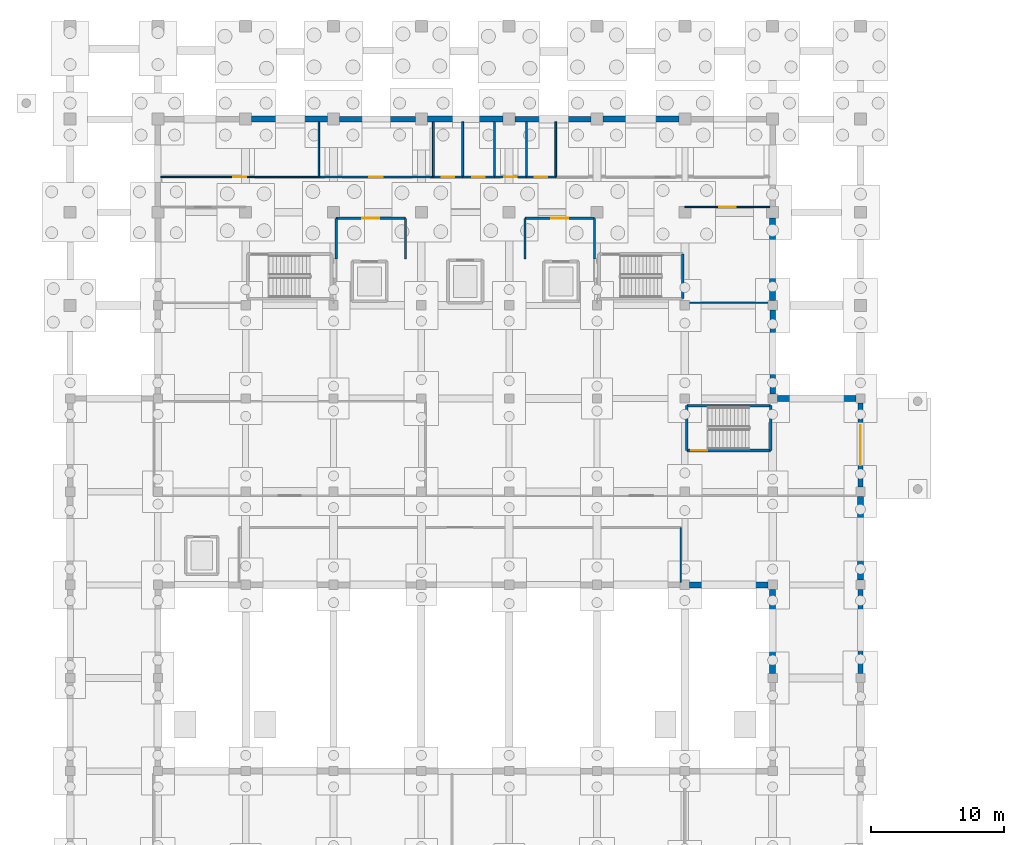
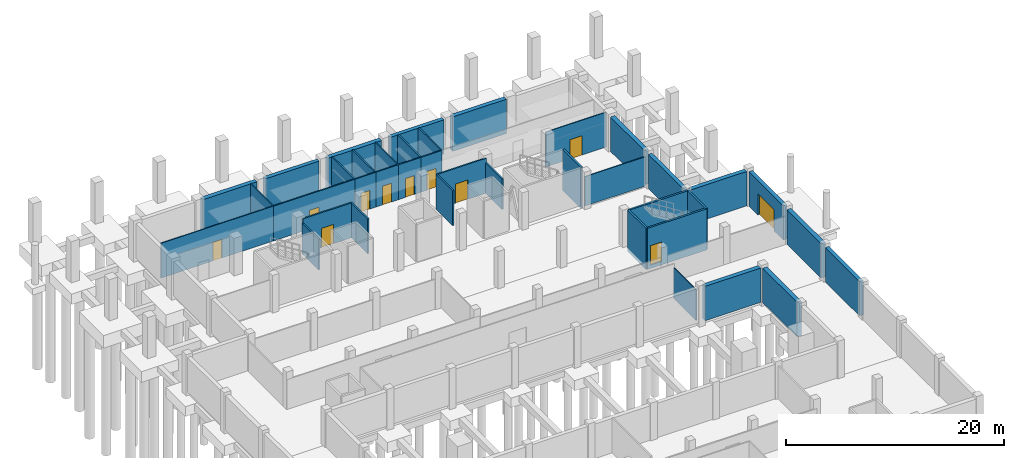
# One storey, part 19 of 27: 39 walls, 11 doors, 11 openings.
"""IFC4 building model written with IfcOpenShell, lengths in metres."""

from ifc_helpers import new_model, si_unit, direction, frame, frame_2d, origin, place, context, subcontext, project, spatial, rectangle, extrude, material, layer, layer_set, type_object, element, fill, save


model = new_model("IFC4")

# Units and contexts
model_context = context("Model", 3, precision=1e-05, world=origin(), true_north=direction((0.0, 1.0)))
body_context = subcontext(model_context, "Body", "Model", "MODEL_VIEW")
ifc_project = project(units=[si_unit("LENGTHUNIT", "METRE"), si_unit("AREAUNIT", "SQUARE_METRE"), si_unit("VOLUMEUNIT", "CUBIC_METRE"), si_unit("PLANEANGLEUNIT", "RADIAN"), si_unit("MASSUNIT", "GRAM", prefix="KILO")], contexts=[model_context])

# Site, building, storey
site_placement = place(None, origin())
site = spatial("IfcSite", under=ifc_project, at=site_placement, CompositionType="ELEMENT")
building_placement = place(site_placement, origin())
building = spatial("IfcBuilding", under=site, at=building_placement, Name="Ciguamira Faculty of Natural Sciences", CompositionType="ELEMENT")
storey_placement = place(building_placement, frame((0.0, 0.0, -4.199951171875)))
storey = spatial("IfcBuildingStorey", under=building, at=storey_placement, Name="B1", CompositionType="ELEMENT", Elevation=-4.199951171875)

# Walls
ifc_material_1 = material(Name="Concrete C40/50", Category="concrete")
ifc_layer_1 = layer(ifc_material_1, 0.449951171875, Name="Concrete C40/50")
ifc_layer_set_1 = layer_set([ifc_layer_1], Name="Concrete C40/50")
wall_type_1 = type_object("IfcWallType", Name="ExtWall_RW-01_450", PredefinedType="SHEAR", material=ifc_layer_set_1)
wall_1_placement = place(storey_placement, frame((103.85009765625, 73.0, 0.0), z_axis=(0.0, 0.0, 1.0), x_axis=(1.0, 0.0, 0.0)))
element("IfcWall", 1, at=wall_1_placement, inside=storey, type_object=wall_type_1, Name="B1 exterior wall 0024", PredefinedType="SHEAR", context=body_context, shape_type="SweptSolid", body=[
    extrude(rectangle(XDim=5.89990234375, YDim=0.449951171875, at=frame_2d((2.949951171875, 0.0))), origin(), (0.0, 0.0, 1.0), 3.849853515625),
])
wall_2_placement = place(storey_placement, frame((110.449951171875, 87.0, 0.0), z_axis=(0.0, 0.0, 1.0), x_axis=(1.0, 0.0, 0.0)))
element("IfcWall", 2, at=wall_2_placement, inside=storey, type_object=wall_type_1, Name="B1 exterior wall 0026", PredefinedType="SHEAR", context=body_context, shape_type="SweptSolid", body=[
    extrude(rectangle(XDim=5.900146484375, YDim=0.449951171875, at=frame_2d((2.9501953125, 0.0))), origin(), (0.0, 0.0, 1.0), 3.849853515625),
])
wall_3_placement = place(storey_placement, frame((70.949951171875, 108.0, 0.0), z_axis=(0.0, 0.0, 1.0), x_axis=(1.0, 0.0, 0.0)))
element("IfcWall", 3, at=wall_3_placement, inside=storey, type_object=wall_type_1, Name="B1 exterior wall 0028", PredefinedType="SHEAR", context=body_context, shape_type="SweptSolid", body=[
    extrude(rectangle(XDim=5.699951171875, YDim=0.449951171875, at=frame_2d((2.85009765625, 0.0))), origin(), (0.0, 0.0, 1.0), 3.849853515625),
])
wall_4_placement = place(storey_placement, frame((84.14990234375, 108.0, 0.0), z_axis=(0.0, 0.0, 1.0), x_axis=(1.0, 0.0, 0.0)))
element("IfcWall", 4, at=wall_4_placement, inside=storey, type_object=wall_type_1, Name="B1 exterior wall 0030", PredefinedType="SHEAR", context=body_context, shape_type="SweptSolid", body=[
    extrude(rectangle(XDim=5.7001953125, YDim=0.449951171875, at=frame_2d((2.85009765625, 0.0))), origin(), (0.0, 0.0, 1.0), 3.849853515625),
])
wall_5_placement = place(storey_placement, frame((97.35009765625, 108.0, 0.0), z_axis=(0.0, 0.0, 1.0), x_axis=(1.0, 0.0, 0.0)))
element("IfcWall", 5, at=wall_5_placement, inside=storey, type_object=wall_type_1, Name="B1 exterior wall 0032", PredefinedType="SHEAR", context=body_context, shape_type="SweptSolid", body=[
    extrude(rectangle(XDim=5.699951171875, YDim=0.449951171875, at=frame_2d((2.85009765625, 0.0))), origin(), (0.0, 0.0, 1.0), 3.849853515625),
])
wall_6_placement = place(storey_placement, frame((110.10009765625, 66.35009765625, 0.0), z_axis=(0.0, 0.0, 1.0), x_axis=(0.0, 1.0, 0.0)))
element("IfcWall", 6, at=wall_6_placement, inside=storey, type_object=wall_type_1, Name="B1 exterior wall 0052", PredefinedType="SHEAR", context=body_context, shape_type="SweptSolid", body=[
    extrude(rectangle(XDim=6.2998046875, YDim=0.449951171875, at=frame_2d((3.14990234375, 0.0))), origin(), (0.0, 0.0, 1.0), 3.849853515625),
])
wall_7_placement = place(storey_placement, frame((110.10009765625, 94.35009765625, 0.0), z_axis=(0.0, 0.0, 1.0), x_axis=(0.0, 1.0, 0.0)))
element("IfcWall", 7, at=wall_7_placement, inside=storey, type_object=wall_type_1, Name="B1 exterior wall 0054", PredefinedType="SHEAR", context=body_context, shape_type="SweptSolid", body=[
    extrude(rectangle(XDim=6.199951171875, YDim=0.449951171875, at=frame_2d((3.10009765625, 0.0))), origin(), (0.0, 0.0, 1.0), 3.849853515625),
])
wall_8_placement = place(storey_placement, frame((116.699951171875, 73.35009765625, 0.0), z_axis=(0.0, 0.0, 1.0), x_axis=(0.0, 1.0, 0.0)))
element("IfcWall", 8, at=wall_8_placement, inside=storey, type_object=wall_type_1, Name="B1 exterior wall 0064", PredefinedType="SHEAR", context=body_context, shape_type="SweptSolid", body=[
    extrude(rectangle(XDim=6.2998046875, YDim=0.449951171875, at=frame_2d((3.14990234375, 0.0))), origin(), (0.0, 0.0, 1.0), 3.849853515625),
])
ifc_layer_2 = layer(ifc_material_1, 0.39990234375, Name="Concrete C40/50")
ifc_layer_set_2 = layer_set([ifc_layer_2], Name="Concrete C40/50")
wall_type_2 = type_object("IfcWallType", Name="ExtWall_RW-02_400", PredefinedType="SHEAR", material=ifc_layer_set_2)
for number, where, z_axis, x_axis, name in (
    (9, (77.550048828125, 108.0, 0.0), (0.0, 0.0, 1.0), (1.0, 0.0, 0.0), "B1 exterior wall 0029"),
    (10, (90.75, 108.0, 0.0), (0.0, 0.0, 1.0), (1.0, 0.0, 0.0), "B1 exterior wall 0031"),
):
    element("IfcWall", number, at=place(storey_placement, frame(where, z_axis=z_axis, x_axis=x_axis)), inside=storey, type_object=wall_type_2, Name=name, PredefinedType="SHEAR", context=body_context, shape_type="SweptSolid", body=[
        extrude(rectangle(XDim=5.699951171875, YDim=0.39990234375, at=frame_2d((2.85009765625, 0.0))), origin(), (0.0, 0.0, 1.0), 3.849853515625),
    ])
for number, where, z_axis, x_axis, name in (
    (11, (110.10009765625, 87.35009765625, 0.0), (0.0, 0.0, 1.0), (0.0, 1.0, 0.0), "B1 exterior wall 0053"),
    (12, (116.699951171875, 66.35009765625, 0.0), (0.0, 0.0, 1.0), (0.0, 1.0, 0.0), "B1 exterior wall 0063"),
):
    element("IfcWall", number, at=place(storey_placement, frame(where, z_axis=z_axis, x_axis=x_axis)), inside=storey, type_object=wall_type_2, Name=name, PredefinedType="SHEAR", context=body_context, shape_type="SweptSolid", body=[
        extrude(rectangle(XDim=6.2998046875, YDim=0.39990234375, at=frame_2d((3.14990234375, 0.0))), origin(), (0.0, 0.0, 1.0), 3.849853515625),
    ])

# Wall, opening, door
wall_9_placement = place(storey_placement, frame((116.699951171875, 80.35009765625, 0.0), z_axis=(0.0, 0.0, 1.0), x_axis=(0.0, 1.0, 0.0)))
wall_9 = element("IfcWall", 13, at=wall_9_placement, inside=storey, type_object=wall_type_2, Name="B1 exterior wall 0065", PredefinedType="SHEAR", context=body_context, shape_type="SweptSolid", body=[
    extrude(rectangle(XDim=6.2998046875, YDim=0.39990234375, at=frame_2d((3.14990234375, 0.0))), origin(), (0.0, 0.0, 1.0), 3.849853515625),
])
opening_1_placement = place(wall_9_placement, frame((1.64990234375, 0.0, 0.0)))
opening_1 = element("IfcOpeningElement", 14, at=opening_1_placement, cuts=wall_9, Name="Opening GD-01", PredefinedType="OPENING", context=body_context, shape_type="SweptSolid", body=[
    extrude(rectangle(XDim=3.0, YDim=2.39990234375, at=frame_2d((1.5, 1.199951171875))), frame((0.0, 0.2099609375, 0.0), z_axis=(0.0, -1.0, 0.0), x_axis=(1.0, 0.0, 0.0)), (0.0, 0.0, 1.0), 0.419921875),
])
ifc_material_2 = material(Name="Galvanized steel service bay gate", Category="steel")
door_type_1 = type_object("IfcDoorType", Name="ExtDoor_GD-01_3000x2400", OperationType="NOTDEFINED", PredefinedType="GATE", material=ifc_material_2)
door_1_placement = place(opening_1_placement, frame((3.0, 0.0, 0.0), z_axis=(0.0, 0.0, 1.0), x_axis=(-1.0, 0.0, 0.0)))
door_1 = element("IfcDoor", 15, at=door_1_placement, inside=storey, type_object=door_type_1, Name="Basement Service Loading Gate GD-B1-01", OperationType="DOUBLE_DOOR_SINGLE_SWING", OverallHeight=2.39990234375, OverallWidth=3.0, PredefinedType="GATE", context=body_context, shape_type="SweptSolid", body=[
    extrude(rectangle(XDim=3.0, YDim=2.39990234375, at=frame_2d((1.5, 1.199951171875))), frame((0.0, 0.02490234375, 0.0), z_axis=(0.0, -1.0, 0.0), x_axis=(1.0, 0.0, 0.0)), (0.0, 0.0, 1.0), 0.050048828125),
])
fill(opening_1, door_1)

# Wall
ifc_layer_3 = layer(ifc_material_1, 0.199951171875, Name="Concrete C40/50")
ifc_layer_set_3 = layer_set([ifc_layer_3], Name="Concrete C40/50")
wall_type_3 = type_object("IfcWallType", Name="IntWall_CW-S20_200", PredefinedType="SHEAR", material=ifc_layer_set_3)
wall_10_placement = place(storey_placement, frame((103.35009765625, 94.5, -0.400146484375), z_axis=(0.0, 0.0, 1.0), x_axis=(0.0, 1.0, 0.0)))
element("IfcWall", 16, at=wall_10_placement, inside=storey, type_object=wall_type_3, Name="B1 ST-T2 core shear wall east", PredefinedType="SHEAR", context=body_context, shape_type="SweptSolid", body=[
    extrude(rectangle(XDim=3.360107421875, YDim=0.199951171875, at=frame_2d((1.68017578125, 0.0))), origin(), (0.0, 0.0, 1.0), 4.60009765625),
])

# Wall, opening, door
wall_11_placement = place(storey_placement, frame((103.64990234375, 83.10009765625, -0.400146484375), z_axis=(0.0, 0.0, 1.0), x_axis=(1.0, 0.0, 0.0)))
wall_11 = element("IfcWall", 17, at=wall_11_placement, inside=storey, type_object=wall_type_3, Name="B1 ST-W2 core shear wall south", PredefinedType="SHEAR", context=body_context, shape_type="SweptSolid", body=[
    extrude(rectangle(XDim=6.300048828125, YDim=0.199951171875, at=frame_2d((3.14990234375, 0.0))), origin(), (0.0, 0.0, 1.0), 4.60009765625),
])
opening_2_placement = place(wall_11_placement, frame((0.320068359375, 0.0, 0.39990234375)))
opening_2 = element("IfcOpeningElement", 18, at=opening_2_placement, cuts=wall_11, Name="Opening ID-14", PredefinedType="OPENING", context=body_context, shape_type="SweptSolid", body=[
    extrude(rectangle(XDim=1.199951171875, YDim=2.14990234375, at=frame_2d((0.60009765625, 1.074951171875))), frame((0.0, 0.10986328125, 0.0), z_axis=(0.0, -1.0, 0.0), x_axis=(1.0, 0.0, 0.0)), (0.0, 0.0, 1.0), 0.219970703125),
])
ifc_material_3 = material(Name="Protected exit stair fire door")
door_type_2 = type_object("IfcDoorType", Name="IntDoor_ID-14_1200x2150", OperationType="NOTDEFINED", PredefinedType="DOOR", material=ifc_material_3)
door_2_placement = place(opening_2_placement, origin())
door_2 = element("IfcDoor", 19, at=door_2_placement, inside=storey, type_object=door_type_2, Name="B1 ST-W2 exit stair fire door", OperationType="SINGLE_SWING_LEFT", OverallHeight=2.14990234375, OverallWidth=1.199951171875, PredefinedType="DOOR", context=body_context, shape_type="SweptSolid", body=[
    extrude(rectangle(XDim=1.199951171875, YDim=2.14990234375, at=frame_2d((0.60009765625, 1.074951171875))), frame((0.0, 0.02490234375, 0.0), z_axis=(0.0, -1.0, 0.0), x_axis=(1.0, 0.0, 0.0)), (0.0, 0.0, 1.0), 0.050048828125),
])
fill(opening_2, door_2)

# Walls
wall_12_placement = place(storey_placement, frame((103.64990234375, 86.4599609375, -0.400146484375), z_axis=(0.0, 0.0, 1.0), x_axis=(1.0, 0.0, 0.0)))
element("IfcWall", 20, at=wall_12_placement, inside=storey, type_object=wall_type_3, Name="B1 ST-W2 core shear wall north", PredefinedType="SHEAR", context=body_context, shape_type="SweptSolid", body=[
    extrude(rectangle(XDim=6.300048828125, YDim=0.199951171875, at=frame_2d((3.14990234375, 0.0))), origin(), (0.0, 0.0, 1.0), 4.60009765625),
])
for number, where, z_axis, x_axis, name in (
    (21, (103.64990234375, 83.10009765625, -0.400146484375), (0.0, 0.0, 1.0), (0.0, 1.0, 0.0), "B1 ST-W2 core shear wall west"),
    (22, (109.949951171875, 83.10009765625, -0.400146484375), (0.0, 0.0, 1.0), (0.0, 1.0, 0.0), "B1 ST-W2 core shear wall east"),
):
    element("IfcWall", number, at=place(storey_placement, frame(where, z_axis=z_axis, x_axis=x_axis)), inside=storey, type_object=wall_type_3, Name=name, PredefinedType="SHEAR", context=body_context, shape_type="SweptSolid", body=[
        extrude(rectangle(XDim=3.35986328125, YDim=0.199951171875, at=frame_2d((1.679931640625, 0.0))), origin(), (0.0, 0.0, 1.0), 4.60009765625),
    ])
ifc_material_4 = material(Name="Fire-rated gypsum partition")
ifc_layer_4 = layer(ifc_material_4, 0.10009765625, Name="Fire-rated gypsum partition")
ifc_layer_set_4 = layer_set([ifc_layer_4], Name="Fire-rated gypsum partition")
wall_type_4 = type_object("IfcWallType", Name="IntWall_IW-A10_100", PredefinedType="PARTITIONING", material=ifc_layer_set_4)
wall_13_placement = place(storey_placement, frame((103.199951171875, 73.199951171875, 0.0), z_axis=(0.0, 0.0, 1.0), x_axis=(0.0, 1.0, 0.0)))
element("IfcWall", 23, at=wall_13_placement, inside=storey, type_object=wall_type_4, Name="B1 B1 Court Overlook Write-Up Studio partition east", PredefinedType="PARTITIONING", context=body_context, shape_type="SweptSolid", body=[
    extrude(rectangle(XDim=4.10009765625, YDim=0.10009765625, at=frame_2d((2.050048828125, 0.0))), origin(), (0.0, 0.0, 1.0), 3.445068359375),
])

# Wall, opening, door
wall_14_placement = place(storey_placement, frame((64.10009765625, 103.64990234375, 0.0), z_axis=(0.0, 0.0, 1.0), x_axis=(1.0, 0.0, 0.0)))
wall_14 = element("IfcWall", 24, at=wall_14_placement, inside=storey, type_object=wall_type_4, Name="B1 Uninterruptible Power and Switchgear Plant partition south", PredefinedType="PARTITIONING", context=body_context, shape_type="SweptSolid", body=[
    extrude(rectangle(XDim=11.89990234375, YDim=0.10009765625, at=frame_2d((5.949951171875, 0.0))), origin(), (0.0, 0.0, 1.0), 3.89990234375),
])
opening_3_placement = place(wall_14_placement, frame((5.47509765625, 0.0, 0.0)))
opening_3 = element("IfcOpeningElement", 25, at=opening_3_placement, cuts=wall_14, Name="Opening ID-02", PredefinedType="OPENING", context=body_context, shape_type="SweptSolid", body=[
    extrude(rectangle(XDim=0.949951171875, YDim=2.10009765625, at=frame_2d((0.47509765625, 1.050048828125))), frame((0.0, 0.06005859375, 0.0), z_axis=(0.0, -1.0, 0.0), x_axis=(1.0, 0.0, 0.0)), (0.0, 0.0, 1.0), 0.1201171875),
])
ifc_material_5 = material(Name="Accessible WC outward-clear door")
door_type_3 = type_object("IfcDoorType", Name="IntDoor_ID-02_950x2100", OperationType="NOTDEFINED", PredefinedType="DOOR", material=ifc_material_5)
door_3_placement = place(opening_3_placement, origin())
door_3 = element("IfcDoor", 26, at=door_3_placement, inside=storey, type_object=door_type_3, Name="B1 Uninterruptible Power and Switchgear Plant door", OperationType="SINGLE_SWING_LEFT", OverallHeight=2.10009765625, OverallWidth=0.949951171875, PredefinedType="DOOR", context=body_context, shape_type="SweptSolid", body=[
    extrude(rectangle(XDim=0.949951171875, YDim=2.10009765625, at=frame_2d((0.47509765625, 1.050048828125))), frame((0.0, 0.02490234375, 0.0), z_axis=(0.0, -1.0, 0.0), x_axis=(1.0, 0.0, 0.0)), (0.0, 0.0, 1.0), 0.050048828125),
])
fill(opening_3, door_3)

# Walls
wall_15_placement = place(storey_placement, frame((76.0, 103.64990234375, 0.0), z_axis=(0.0, 0.0, 1.0), x_axis=(0.0, 1.0, 0.0)))
element("IfcWall", 27, at=wall_15_placement, inside=storey, type_object=wall_type_4, Name="B1 Uninterruptible Power and Switchgear Plant partition east", PredefinedType="PARTITIONING", context=body_context, shape_type="SweptSolid", body=[
    extrude(rectangle(XDim=4.150146484375, YDim=0.10009765625, at=frame_2d((2.0751953125, 0.0))), origin(), (0.0, 0.0, 1.0), 3.89990234375),
])
wall_16_placement = place(storey_placement, frame((103.5, 94.199951171875, 0.0), z_axis=(0.0, 0.0, 1.0), x_axis=(1.0, 0.0, 0.0)))
element("IfcWall", 28, at=wall_16_placement, inside=storey, type_object=wall_type_4, Name="B1 Glassblowing Technical Studio partition south", PredefinedType="PARTITIONING", context=body_context, shape_type="SweptSolid", body=[
    extrude(rectangle(XDim=6.39990234375, YDim=0.10009765625, at=frame_2d((3.199951171875, 0.0))), origin(), (0.0, 0.0, 1.0), 3.284912109375),
])

# Wall, opening, door
wall_17_placement = place(storey_placement, frame((103.5, 101.39990234375, 0.0), z_axis=(0.0, 0.0, 1.0), x_axis=(1.0, 0.0, 0.0)))
wall_17 = element("IfcWall", 29, at=wall_17_placement, inside=storey, type_object=wall_type_4, Name="B1 Glassblowing Technical Studio partition north", PredefinedType="PARTITIONING", context=body_context, shape_type="SweptSolid", body=[
    extrude(rectangle(XDim=6.39990234375, YDim=0.10009765625, at=frame_2d((3.199951171875, 0.0))), origin(), (0.0, 0.0, 1.0), 3.89990234375),
])
opening_4_placement = place(wall_17_placement, frame((2.574951171875, 0.0, 0.0)))
opening_4 = element("IfcOpeningElement", 30, at=opening_4_placement, cuts=wall_17, Name="Opening ID-06", PredefinedType="OPENING", context=body_context, shape_type="SweptSolid", body=[
    extrude(rectangle(XDim=1.25, YDim=2.14990234375, at=frame_2d((0.625, 1.074951171875))), frame((0.0, 0.06005859375, 0.0), z_axis=(0.0, -1.0, 0.0), x_axis=(1.0, 0.0, 0.0)), (0.0, 0.0, 1.0), 0.1201171875),
])
ifc_material_6 = material(Name="Instrument room leaf-and-half door")
door_type_4 = type_object("IfcDoorType", Name="IntDoor_ID-06_1250x2150", OperationType="NOTDEFINED", PredefinedType="DOOR", material=ifc_material_6)
door_4_placement = place(opening_4_placement, frame((1.25, 0.0, 0.0), z_axis=(0.0, 0.0, 1.0), x_axis=(-1.0, 0.0, 0.0)))
door_4 = element("IfcDoor", 31, at=door_4_placement, inside=storey, type_object=door_type_4, Name="B1 Glassblowing Technical Studio door", OperationType="SINGLE_SWING_LEFT", OverallHeight=2.14990234375, OverallWidth=1.25, PredefinedType="DOOR", context=body_context, shape_type="SweptSolid", body=[
    extrude(rectangle(XDim=1.25, YDim=2.14990234375, at=frame_2d((0.625, 1.074951171875))), frame((0.0, 0.02490234375, 0.0), z_axis=(0.0, -1.0, 0.0), x_axis=(1.0, 0.0, 0.0)), (0.0, 0.0, 1.0), 0.050048828125),
])
fill(opening_4, door_4)

ifc_material_7 = material(Name="Fire-rated blockwork wall", Category="masonry")
ifc_layer_5 = layer(ifc_material_7, 0.159912109375, Name="Fire-rated blockwork wall")
ifc_layer_set_5 = layer_set([ifc_layer_5], Name="Fire-rated blockwork wall")
wall_type_5 = type_object("IfcWallType", Name="IntWall_IW-F16_160", PredefinedType="SOLIDWALL", material=ifc_layer_set_5)
wall_18_placement = place(storey_placement, frame((77.300048828125, 100.550048828125, 0.0), z_axis=(0.0, 0.0, 1.0), x_axis=(1.0, 0.0, 0.0)))
wall_18 = element("IfcWall", 32, at=wall_18_placement, inside=storey, type_object=wall_type_5, Name="B1 Firefighting Lift Lobby 1 partition north", PredefinedType="SOLIDWALL", context=body_context, shape_type="SweptSolid", body=[
    extrude(rectangle(XDim=5.199951171875, YDim=0.159912109375, at=frame_2d((2.60009765625, 0.0))), origin(), (0.0, 0.0, 1.0), 3.89990234375),
])
opening_5_placement = place(wall_18_placement, frame((1.949951171875, 0.0, 0.0)))
opening_5 = element("IfcOpeningElement", 33, at=opening_5_placement, cuts=wall_18, Name="Opening ID-15", PredefinedType="OPENING", context=body_context, shape_type="SweptSolid", body=[
    extrude(rectangle(XDim=1.300048828125, YDim=2.14990234375, at=frame_2d((0.64990234375, 1.074951171875))), frame((0.0, 0.08984375, 0.0), z_axis=(0.0, -1.0, 0.0), x_axis=(1.0, 0.0, 0.0)), (0.0, 0.0, 1.0), 0.179931640625),
])
ifc_material_8 = material(Name="Firefighting lift lobby fire door")
door_type_5 = type_object("IfcDoorType", Name="IntDoor_ID-15_1300x2150", OperationType="NOTDEFINED", PredefinedType="DOOR", material=ifc_material_8)
door_5_placement = place(opening_5_placement, frame((1.300048828125, 0.0, 0.0), z_axis=(0.0, 0.0, 1.0), x_axis=(-1.0, 0.0, 0.0)))
door_5 = element("IfcDoor", 34, at=door_5_placement, inside=storey, type_object=door_type_5, Name="B1 Firefighting Lift Lobby 1 door", OperationType="SINGLE_SWING_LEFT", OverallHeight=2.14990234375, OverallWidth=1.300048828125, PredefinedType="DOOR", context=body_context, shape_type="SweptSolid", body=[
    extrude(rectangle(XDim=1.300048828125, YDim=2.14990234375, at=frame_2d((0.64990234375, 1.074951171875))), frame((0.0, 0.02490234375, 0.0), z_axis=(0.0, -1.0, 0.0), x_axis=(1.0, 0.0, 0.0)), (0.0, 0.0, 1.0), 0.050048828125),
])
fill(opening_5, door_5)

# Walls
wall_19_placement = place(storey_placement, frame((77.300048828125, 97.5, 0.0), z_axis=(0.0, 0.0, 1.0), x_axis=(0.0, 1.0, 0.0)))
element("IfcWall", 35, at=wall_19_placement, inside=storey, type_object=wall_type_5, Name="B1 Firefighting Lift Lobby 1 partition west", PredefinedType="SOLIDWALL", context=body_context, shape_type="SweptSolid", body=[
    extrude(rectangle(XDim=3.050048828125, YDim=0.159912109375, at=frame_2d((1.52490234375, 0.0))), origin(), (0.0, 0.0, 1.0), 3.405029296875),
])
wall_20_placement = place(storey_placement, frame((82.5, 97.5, 0.0), z_axis=(0.0, 0.0, 1.0), x_axis=(0.0, 1.0, 0.0)))
element("IfcWall", 36, at=wall_20_placement, inside=storey, type_object=wall_type_5, Name="B1 Firefighting Lift Lobby 1 partition east", PredefinedType="SOLIDWALL", context=body_context, shape_type="SweptSolid", body=[
    extrude(rectangle(XDim=3.050048828125, YDim=0.159912109375, at=frame_2d((1.52490234375, 0.0))), origin(), (0.0, 0.0, 1.0), 3.89990234375),
])

# Wall, opening, door
wall_21_placement = place(storey_placement, frame((91.5, 100.550048828125, 0.0), z_axis=(0.0, 0.0, 1.0), x_axis=(1.0, 0.0, 0.0)))
wall_21 = element("IfcWall", 37, at=wall_21_placement, inside=storey, type_object=wall_type_5, Name="B1 Firefighting Lift Lobby 2 partition north", PredefinedType="SOLIDWALL", context=body_context, shape_type="SweptSolid", body=[
    extrude(rectangle(XDim=5.199951171875, YDim=0.159912109375, at=frame_2d((2.60009765625, 0.0))), origin(), (0.0, 0.0, 1.0), 3.89990234375),
])
opening_6_placement = place(wall_21_placement, frame((1.949951171875, 0.0, 0.0)))
opening_6 = element("IfcOpeningElement", 38, at=opening_6_placement, cuts=wall_21, Name="Opening ID-15", PredefinedType="OPENING", context=body_context, shape_type="SweptSolid", body=[
    extrude(rectangle(XDim=1.300048828125, YDim=2.14990234375, at=frame_2d((0.64990234375, 1.074951171875))), frame((0.0, 0.08984375, 0.0), z_axis=(0.0, -1.0, 0.0), x_axis=(1.0, 0.0, 0.0)), (0.0, 0.0, 1.0), 0.179931640625),
])
door_6_placement = place(opening_6_placement, frame((1.300048828125, 0.0, 0.0), z_axis=(0.0, 0.0, 1.0), x_axis=(-1.0, 0.0, 0.0)))
door_6 = element("IfcDoor", 39, at=door_6_placement, inside=storey, type_object=door_type_5, Name="B1 Firefighting Lift Lobby 2 door", OperationType="SINGLE_SWING_RIGHT", OverallHeight=2.14990234375, OverallWidth=1.300048828125, PredefinedType="DOOR", context=body_context, shape_type="SweptSolid", body=[
    extrude(rectangle(XDim=1.300048828125, YDim=2.14990234375, at=frame_2d((0.64990234375, 1.074951171875))), frame((0.0, 0.02490234375, 0.0), z_axis=(0.0, -1.0, 0.0), x_axis=(1.0, 0.0, 0.0)), (0.0, 0.0, 1.0), 0.050048828125),
])
fill(opening_6, door_6)

# Walls
wall_22_placement = place(storey_placement, frame((91.5, 97.5, 0.0), z_axis=(0.0, 0.0, 1.0), x_axis=(0.0, 1.0, 0.0)))
element("IfcWall", 40, at=wall_22_placement, inside=storey, type_object=wall_type_5, Name="B1 Firefighting Lift Lobby 2 partition west", PredefinedType="SOLIDWALL", context=body_context, shape_type="SweptSolid", body=[
    extrude(rectangle(XDim=3.050048828125, YDim=0.159912109375, at=frame_2d((1.52490234375, 0.0))), origin(), (0.0, 0.0, 1.0), 3.89990234375),
])
wall_23_placement = place(storey_placement, frame((96.699951171875, 97.5, 0.0), z_axis=(0.0, 0.0, 1.0), x_axis=(0.0, 1.0, 0.0)))
element("IfcWall", 41, at=wall_23_placement, inside=storey, type_object=wall_type_5, Name="B1 Firefighting Lift Lobby 2 partition east", PredefinedType="SOLIDWALL", context=body_context, shape_type="SweptSolid", body=[
    extrude(rectangle(XDim=3.050048828125, YDim=0.159912109375, at=frame_2d((1.52490234375, 0.0))), origin(), (0.0, 0.0, 1.0), 3.405029296875),
])

# Wall, opening, door
ifc_material_9 = material(Name="Moisture-resistant service chase wall")
ifc_layer_6 = layer(ifc_material_9, 0.139892578125, Name="Moisture-resistant service chase wall")
ifc_layer_set_6 = layer_set([ifc_layer_6], Name="Moisture-resistant service chase wall")
wall_type_6 = type_object("IfcWallType", Name="IntWall_IW-P14_140", PredefinedType="PLUMBINGWALL", material=ifc_layer_set_6)
wall_24_placement = place(storey_placement, frame((84.60009765625, 103.64990234375, 0.0), z_axis=(0.0, 0.0, 1.0), x_axis=(1.0, 0.0, 0.0)))
wall_24 = element("IfcWall", 42, at=wall_24_placement, inside=storey, type_object=wall_type_6, Name="B1 Accessible WC partition south", PredefinedType="PLUMBINGWALL", context=body_context, shape_type="SweptSolid", body=[
    extrude(rectangle(XDim=2.199951171875, YDim=0.139892578125, at=frame_2d((1.10009765625, 0.0))), origin(), (0.0, 0.0, 1.0), 3.89990234375),
])
opening_7_placement = place(wall_24_placement, frame((0.625, 0.0, 0.0)))
opening_7 = element("IfcOpeningElement", 43, at=opening_7_placement, cuts=wall_24, Name="Opening ID-02", PredefinedType="OPENING", context=body_context, shape_type="SweptSolid", body=[
    extrude(rectangle(XDim=0.949951171875, YDim=2.10009765625, at=frame_2d((0.47509765625, 1.050048828125))), frame((0.0, 0.079833984375, 0.0), z_axis=(0.0, -1.0, 0.0), x_axis=(1.0, 0.0, 0.0)), (0.0, 0.0, 1.0), 0.159912109375),
])
door_7_placement = place(opening_7_placement, origin())
door_7 = element("IfcDoor", 44, at=door_7_placement, inside=storey, type_object=door_type_3, Name="B1 Accessible WC door", OperationType="SINGLE_SWING_LEFT", OverallHeight=2.10009765625, OverallWidth=0.949951171875, PredefinedType="DOOR", context=body_context, shape_type="SweptSolid", body=[
    extrude(rectangle(XDim=0.949951171875, YDim=2.10009765625, at=frame_2d((0.47509765625, 1.050048828125))), frame((0.0, 0.02490234375, 0.0), z_axis=(0.0, -1.0, 0.0), x_axis=(1.0, 0.0, 0.0)), (0.0, 0.0, 1.0), 0.050048828125),
])
fill(opening_7, door_7)

# Walls
for number, where, z_axis, x_axis, name in (
    (45, (84.60009765625, 103.64990234375, 0.0), (0.0, 0.0, 1.0), (0.0, 1.0, 0.0), "B1 Accessible WC partition west"),
    (46, (86.800048828125, 103.64990234375, 0.0), (0.0, 0.0, 1.0), (0.0, 1.0, 0.0), "B1 Accessible WC partition east"),
):
    element("IfcWall", number, at=place(storey_placement, frame(where, z_axis=z_axis, x_axis=x_axis)), inside=storey, type_object=wall_type_6, Name=name, PredefinedType="PLUMBINGWALL", context=body_context, shape_type="SweptSolid", body=[
        extrude(rectangle(XDim=4.150146484375, YDim=0.139892578125, at=frame_2d((2.0751953125, 0.0))), origin(), (0.0, 0.0, 1.0), 3.89990234375),
    ])

# Wall, opening, door
wall_25_placement = place(storey_placement, frame((86.800048828125, 103.64990234375, 0.0), z_axis=(0.0, 0.0, 1.0), x_axis=(1.0, 0.0, 0.0)))
wall_25 = element("IfcWall", 47, at=wall_25_placement, inside=storey, type_object=wall_type_6, Name="B1 Public Restroom Female partition south", PredefinedType="PLUMBINGWALL", context=body_context, shape_type="SweptSolid", body=[
    extrude(rectangle(XDim=2.39990234375, YDim=0.139892578125, at=frame_2d((1.199951171875, 0.0))), origin(), (0.0, 0.0, 1.0), 3.89990234375),
])
opening_8_placement = place(wall_25_placement, frame((0.72509765625, 0.0, 0.0)))
opening_8 = element("IfcOpeningElement", 48, at=opening_8_placement, cuts=wall_25, Name="Opening ID-02", PredefinedType="OPENING", context=body_context, shape_type="SweptSolid", body=[
    extrude(rectangle(XDim=0.949951171875, YDim=2.10009765625, at=frame_2d((0.47509765625, 1.050048828125))), frame((0.0, 0.079833984375, 0.0), z_axis=(0.0, -1.0, 0.0), x_axis=(1.0, 0.0, 0.0)), (0.0, 0.0, 1.0), 0.159912109375),
])
door_8_placement = place(opening_8_placement, origin())
door_8 = element("IfcDoor", 49, at=door_8_placement, inside=storey, type_object=door_type_3, Name="B1 Public Restroom Female door", OperationType="SINGLE_SWING_RIGHT", OverallHeight=2.10009765625, OverallWidth=0.949951171875, PredefinedType="DOOR", context=body_context, shape_type="SweptSolid", body=[
    extrude(rectangle(XDim=0.949951171875, YDim=2.10009765625, at=frame_2d((0.47509765625, 1.050048828125))), frame((0.0, 0.02490234375, 0.0), z_axis=(0.0, -1.0, 0.0), x_axis=(1.0, 0.0, 0.0)), (0.0, 0.0, 1.0), 0.050048828125),
])
fill(opening_8, door_8)

# Wall
wall_26_placement = place(storey_placement, frame((89.199951171875, 103.64990234375, 0.0), z_axis=(0.0, 0.0, 1.0), x_axis=(0.0, 1.0, 0.0)))
element("IfcWall", 50, at=wall_26_placement, inside=storey, type_object=wall_type_6, Name="B1 Public Restroom Female partition east", PredefinedType="PLUMBINGWALL", context=body_context, shape_type="SweptSolid", body=[
    extrude(rectangle(XDim=4.150146484375, YDim=0.139892578125, at=frame_2d((2.0751953125, 0.0))), origin(), (0.0, 0.0, 1.0), 3.89990234375),
])

# Wall, opening, door
wall_27_placement = place(storey_placement, frame((89.199951171875, 103.64990234375, 0.0), z_axis=(0.0, 0.0, 1.0), x_axis=(1.0, 0.0, 0.0)))
wall_27 = element("IfcWall", 51, at=wall_27_placement, inside=storey, type_object=wall_type_6, Name="B1 Public Restroom Male partition south", PredefinedType="PLUMBINGWALL", context=body_context, shape_type="SweptSolid", body=[
    extrude(rectangle(XDim=2.400146484375, YDim=0.139892578125, at=frame_2d((1.2001953125, 0.0))), origin(), (0.0, 0.0, 1.0), 3.89990234375),
])
opening_9_placement = place(wall_27_placement, frame((0.72509765625, 0.0, 0.0)))
opening_9 = element("IfcOpeningElement", 52, at=opening_9_placement, cuts=wall_27, Name="Opening ID-02", PredefinedType="OPENING", context=body_context, shape_type="SweptSolid", body=[
    extrude(rectangle(XDim=0.949951171875, YDim=2.10009765625, at=frame_2d((0.47509765625, 1.050048828125))), frame((0.0, 0.079833984375, 0.0), z_axis=(0.0, -1.0, 0.0), x_axis=(1.0, 0.0, 0.0)), (0.0, 0.0, 1.0), 0.159912109375),
])
door_9_placement = place(opening_9_placement, origin())
door_9 = element("IfcDoor", 53, at=door_9_placement, inside=storey, type_object=door_type_3, Name="B1 Public Restroom Male door", OperationType="SINGLE_SWING_LEFT", OverallHeight=2.10009765625, OverallWidth=0.949951171875, PredefinedType="DOOR", context=body_context, shape_type="SweptSolid", body=[
    extrude(rectangle(XDim=0.949951171875, YDim=2.10009765625, at=frame_2d((0.47509765625, 1.050048828125))), frame((0.0, 0.02490234375, 0.0), z_axis=(0.0, -1.0, 0.0), x_axis=(1.0, 0.0, 0.0)), (0.0, 0.0, 1.0), 0.050048828125),
])
fill(opening_9, door_9)

# Wall
wall_28_placement = place(storey_placement, frame((91.60009765625, 103.64990234375, 0.0), z_axis=(0.0, 0.0, 1.0), x_axis=(0.0, 1.0, 0.0)))
element("IfcWall", 54, at=wall_28_placement, inside=storey, type_object=wall_type_6, Name="B1 Public Restroom Male partition east", PredefinedType="PLUMBINGWALL", context=body_context, shape_type="SweptSolid", body=[
    extrude(rectangle(XDim=4.150146484375, YDim=0.139892578125, at=frame_2d((2.0751953125, 0.0))), origin(), (0.0, 0.0, 1.0), 3.89990234375),
])

# Wall, opening, door
wall_29_placement = place(storey_placement, frame((91.60009765625, 103.64990234375, 0.0), z_axis=(0.0, 0.0, 1.0), x_axis=(1.0, 0.0, 0.0)))
wall_29 = element("IfcWall", 55, at=wall_29_placement, inside=storey, type_object=wall_type_6, Name="B1 Staff Restroom partition south", PredefinedType="PLUMBINGWALL", context=body_context, shape_type="SweptSolid", body=[
    extrude(rectangle(XDim=2.199951171875, YDim=0.139892578125, at=frame_2d((1.10009765625, 0.0))), origin(), (0.0, 0.0, 1.0), 3.89990234375),
])
opening_10_placement = place(wall_29_placement, frame((0.625, 0.0, 0.0)))
opening_10 = element("IfcOpeningElement", 56, at=opening_10_placement, cuts=wall_29, Name="Opening ID-02", PredefinedType="OPENING", context=body_context, shape_type="SweptSolid", body=[
    extrude(rectangle(XDim=0.949951171875, YDim=2.10009765625, at=frame_2d((0.47509765625, 1.050048828125))), frame((0.0, 0.079833984375, 0.0), z_axis=(0.0, -1.0, 0.0), x_axis=(1.0, 0.0, 0.0)), (0.0, 0.0, 1.0), 0.159912109375),
])
door_10_placement = place(opening_10_placement, origin())
door_10 = element("IfcDoor", 57, at=door_10_placement, inside=storey, type_object=door_type_3, Name="B1 Staff Restroom door", OperationType="SINGLE_SWING_RIGHT", OverallHeight=2.10009765625, OverallWidth=0.949951171875, PredefinedType="DOOR", context=body_context, shape_type="SweptSolid", body=[
    extrude(rectangle(XDim=0.949951171875, YDim=2.10009765625, at=frame_2d((0.47509765625, 1.050048828125))), frame((0.0, 0.02490234375, 0.0), z_axis=(0.0, -1.0, 0.0), x_axis=(1.0, 0.0, 0.0)), (0.0, 0.0, 1.0), 0.050048828125),
])
fill(opening_10, door_10)

# Wall
wall_30_placement = place(storey_placement, frame((93.800048828125, 103.64990234375, 0.0), z_axis=(0.0, 0.0, 1.0), x_axis=(0.0, 1.0, 0.0)))
element("IfcWall", 58, at=wall_30_placement, inside=storey, type_object=wall_type_6, Name="B1 Staff Restroom partition east", PredefinedType="PLUMBINGWALL", context=body_context, shape_type="SweptSolid", body=[
    extrude(rectangle(XDim=4.150146484375, YDim=0.139892578125, at=frame_2d((2.0751953125, 0.0))), origin(), (0.0, 0.0, 1.0), 3.89990234375),
])

# Wall, opening, door
wall_31_placement = place(storey_placement, frame((76.0, 103.64990234375, 0.0), z_axis=(0.0, 0.0, 1.0), x_axis=(1.0, 0.0, 0.0)))
wall_31 = element("IfcWall", 59, at=wall_31_placement, inside=storey, type_object=wall_type_6, Name="B1 Deionized Water Treatment Plant partition south", PredefinedType="PLUMBINGWALL", context=body_context, shape_type="SweptSolid", body=[
    extrude(rectangle(XDim=8.60009765625, YDim=0.139892578125, at=frame_2d((4.300048828125, 0.0))), origin(), (0.0, 0.0, 1.0), 3.89990234375),
])
opening_11_placement = place(wall_31_placement, frame((3.800048828125, 0.0, 0.0)))
opening_11 = element("IfcOpeningElement", 60, at=opening_11_placement, cuts=wall_31, Name="Opening ID-03", PredefinedType="OPENING", context=body_context, shape_type="SweptSolid", body=[
    extrude(rectangle(XDim=1.0, YDim=2.10009765625, at=frame_2d((0.5, 1.050048828125))), frame((0.0, 0.079833984375, 0.0), z_axis=(0.0, -1.0, 0.0), x_axis=(1.0, 0.0, 0.0)), (0.0, 0.0, 1.0), 0.159912109375),
])
ifc_material_10 = material(Name="Restroom lobby fire door")
door_type_6 = type_object("IfcDoorType", Name="IntDoor_ID-03_1000x2100", OperationType="NOTDEFINED", PredefinedType="DOOR", material=ifc_material_10)
door_11_placement = place(opening_11_placement, origin())
door_11 = element("IfcDoor", 61, at=door_11_placement, inside=storey, type_object=door_type_6, Name="B1 Deionized Water Treatment Plant door", OperationType="SINGLE_SWING_RIGHT", OverallHeight=2.10009765625, OverallWidth=1.0, PredefinedType="DOOR", context=body_context, shape_type="SweptSolid", body=[
    extrude(rectangle(XDim=1.0, YDim=2.10009765625, at=frame_2d((0.5, 1.050048828125))), frame((0.0, 0.02490234375, 0.0), z_axis=(0.0, -1.0, 0.0), x_axis=(1.0, 0.0, 0.0)), (0.0, 0.0, 1.0), 0.050048828125),
])
fill(opening_11, door_11)

save(model, "model.ifc")
